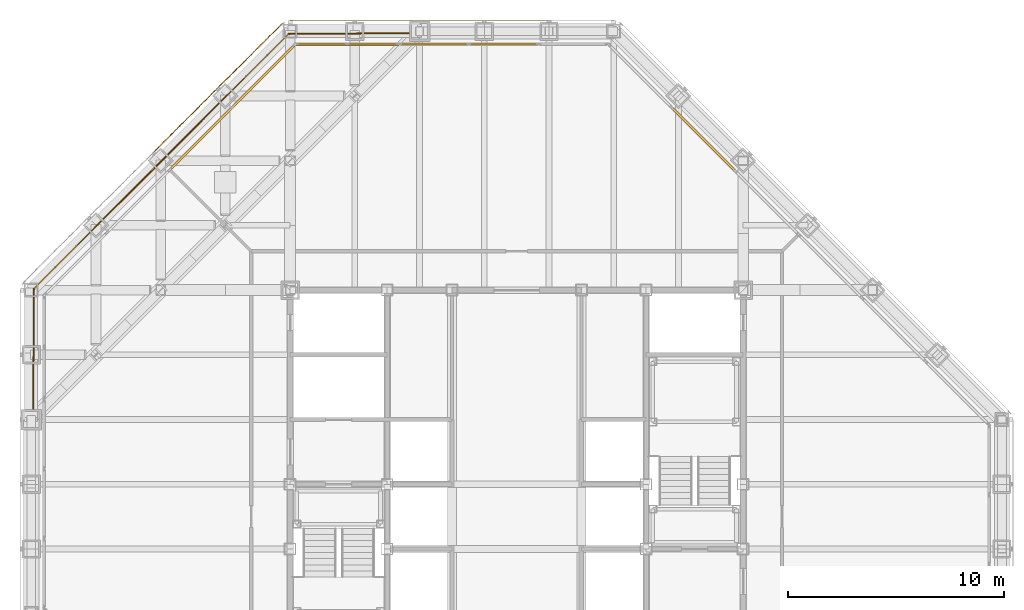
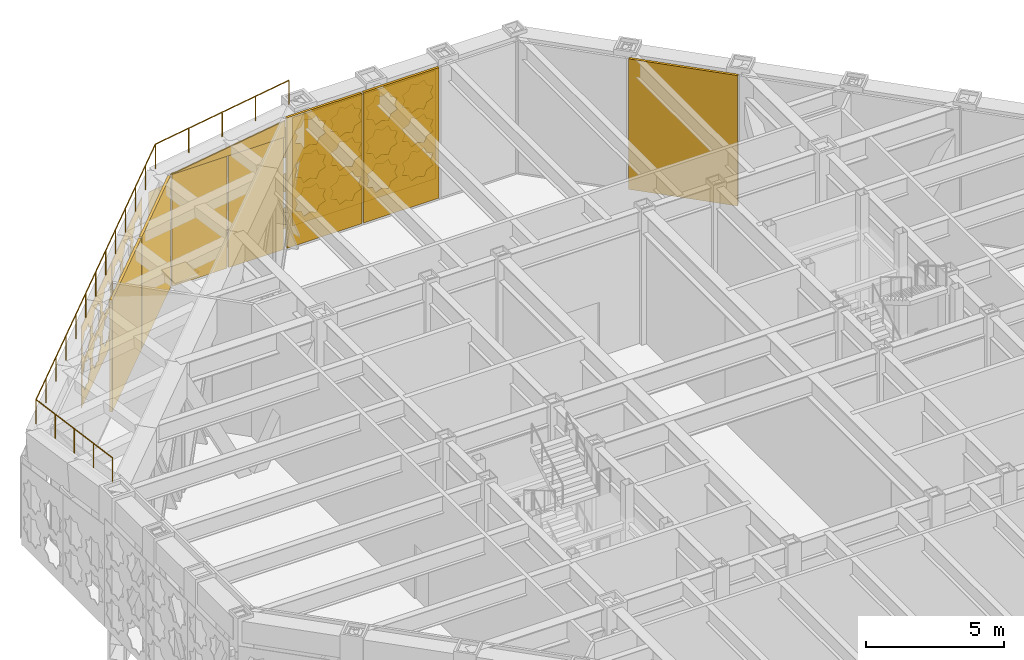
# One storey, part 27 of 29: 7 coverings, 7 shading devices, 1 railing, 4 elements without a shape of their own.
"""IFC4 building model written with IfcOpenShell, lengths in metres."""

from ifc_helpers import new_model, si_unit, direction, frame, origin, origin_2d, place, context, subcontext, project, spatial, polyline, rectangle, circle, outline, extrude, material, layer, layer_set, type_object, element, aggregate, save


model = new_model("IFC4")

# Units and contexts
model_context = context("Model", 3, precision=1e-05, world=origin(), true_north=direction((0.0, 1.0)))
body_context = subcontext(model_context, "Body", "Model", "MODEL_VIEW")
ifc_project = project(units=[si_unit("LENGTHUNIT", "METRE"), si_unit("AREAUNIT", "SQUARE_METRE"), si_unit("VOLUMEUNIT", "CUBIC_METRE"), si_unit("PLANEANGLEUNIT", "RADIAN"), si_unit("MASSUNIT", "GRAM", prefix="KILO")], contexts=[model_context])

# Site, building, storey
site_placement = place(None, origin())
site = spatial("IfcSite", under=ifc_project, at=site_placement, CompositionType="ELEMENT")
building_placement = place(site_placement, origin())
building = spatial("IfcBuilding", under=site, at=building_placement, Name="Chuquiago Exchange Tower", CompositionType="ELEMENT")
storey_placement = place(building_placement, frame((0.0, 0.0, 251.699951171875)))
storey = spatial("IfcBuildingStorey", under=building, at=storey_placement, Name="L56", CompositionType="ELEMENT", Elevation=251.699951171875)

# Curtain wall, shading device
ifc_material_1 = material(Name="Aluminium curtain wall system", Category="aluminium")
ifc_layer_1 = layer(ifc_material_1, 0.199951171875)
ifc_layer_set_1 = layer_set([ifc_layer_1], Name="CW6 plant floor louvre wall")
curtain_wall_type = type_object("IfcCurtainWallType", Name="CW6 plant floor louvre wall", PredefinedType="NOTDEFINED", material=ifc_layer_set_1)
curtain_wall_1_placement = place(storey_placement, origin())
curtain_wall_1 = element("IfcCurtainWall", 1, at=curtain_wall_1_placement, inside=storey, type_object=curtain_wall_type, Name="CW6 curtain wall L56", PredefinedType="NOTDEFINED")
ifc_material_2 = material(Name="Aluminium louvre", Category="aluminium")
ifc_layer_2 = layer(ifc_material_2, 0.10009765625)
ifc_layer_set_2 = layer_set([ifc_layer_2], Name="CW6-P louvre panel 100")
shading_device_type = type_object("IfcShadingDeviceType", Name="CW6-P louvre panel 100", PredefinedType="USERDEFINED", material=ifc_layer_set_2)
shading_device_1_placement = place(storey_placement, frame((31.16357421875, 39.98779296875, 0.0751953125), z_axis=(0.0, 0.0, 1.0), x_axis=(-0.707106781187, 0.707106781187, 0.0)))
shading_device_1 = element("IfcShadingDevice", 2, at=shading_device_1_placement, type_object=shading_device_type, Name="CW6 panel 5.1", ObjectType="LOUVER", PredefinedType="USERDEFINED", context=body_context, shape_type="SweptSolid", body=[
    extrude(rectangle(XDim=4.084716796875, YDim=0.10009765625, at=origin_2d()), origin(), (0.0, 0.0, 1.0), 5.764892578125),
])
aggregate(curtain_wall_1, [shading_device_1])

# Curtain wall, shading devices
curtain_wall_2_placement = place(storey_placement, origin())
curtain_wall_2 = element("IfcCurtainWall", 3, at=curtain_wall_2_placement, inside=storey, type_object=curtain_wall_type, Name="CW6 curtain wall L56", PredefinedType="NOTDEFINED")
shading_device_2_placement = place(storey_placement, frame((21.89892578125, 44.39990234375, 0.0751953125), z_axis=(0.0, 0.0, 1.0), x_axis=(-1.0, 0.0, 0.0)))
shading_device_2 = element("IfcShadingDevice", 4, at=shading_device_2_placement, type_object=shading_device_type, Name="CW6 panel 2.1", ObjectType="LOUVER", PredefinedType="USERDEFINED", context=body_context, shape_type="SweptSolid", body=[
    extrude(rectangle(XDim=3.159912109375, YDim=0.10009765625, at=origin_2d()), origin(), (0.0, 0.0, 1.0), 5.764892578125),
])
shading_device_3_placement = place(storey_placement, frame((18.682861328125, 44.39990234375, 0.0751953125), z_axis=(0.0, 0.0, 1.0), x_axis=(-1.0, 0.0, 0.0)))
shading_device_3 = element("IfcShadingDevice", 5, at=shading_device_3_placement, type_object=shading_device_type, Name="CW6 panel 3.1", ObjectType="LOUVER", PredefinedType="USERDEFINED", context=body_context, shape_type="SweptSolid", body=[
    extrude(rectangle(XDim=3.12255859375, YDim=0.10009765625, at=origin_2d()), origin(), (0.0, 0.0, 1.0), 5.764892578125),
])
aggregate(curtain_wall_2, [shading_device_2, shading_device_3])

curtain_wall_3_placement = place(storey_placement, origin())
curtain_wall_3 = element("IfcCurtainWall", 6, at=curtain_wall_3_placement, inside=storey, type_object=curtain_wall_type, Name="CW6 curtain wall L56", PredefinedType="NOTDEFINED")
shading_device_4_placement = place(storey_placement, frame((15.828369140625, 44.39990234375, 0.074951171875), z_axis=(0.0, 0.0, 1.0), x_axis=(-1.0, 0.0, 0.0)))
shading_device_4 = element("IfcShadingDevice", 7, at=shading_device_4_placement, type_object=shading_device_type, Name="CW6 panel 1.1", ObjectType="LOUVER", PredefinedType="USERDEFINED", context=body_context, shape_type="SweptSolid", body=[
    extrude(rectangle(XDim=2.286376953125, YDim=0.10009765625, at=origin_2d()), origin(), (0.0, 0.0, 1.0), 4.9462890625),
])
shading_device_5_placement = place(storey_placement, frame((13.466796875, 44.39990234375, 0.074951171875), z_axis=(0.0, 0.0, 1.0), x_axis=(-1.0, 0.0, 0.0)))
shading_device_5 = element("IfcShadingDevice", 8, at=shading_device_5_placement, type_object=shading_device_type, Name="CW6 panel 2.1", ObjectType="LOUVER", PredefinedType="USERDEFINED", context=body_context, shape_type="SweptSolid", body=[
    extrude(rectangle(XDim=2.286376953125, YDim=0.10009765625, at=origin_2d()), origin(), (0.0, 0.0, 1.0), 4.9462890625),
])
aggregate(curtain_wall_3, [shading_device_4, shading_device_5])

curtain_wall_4_placement = place(storey_placement, origin())
curtain_wall_4 = element("IfcCurtainWall", 9, at=curtain_wall_4_placement, inside=storey, type_object=curtain_wall_type, Name="CW6 curtain wall L56", PredefinedType="NOTDEFINED")
shading_device_6_placement = place(storey_placement, frame((10.779296875, 42.9306640625, 0.074951171875), z_axis=(0.0, 0.0, 1.0), x_axis=(-0.707106781187, -0.707106781187, 0.0)))
shading_device_6 = element("IfcShadingDevice", 10, at=shading_device_6_placement, type_object=shading_device_type, Name="CW6 panel 1.1", ObjectType="LOUVER", PredefinedType="USERDEFINED", context=body_context, shape_type="SweptSolid", body=[
    extrude(rectangle(XDim=4.005859375, YDim=0.10009765625, at=origin_2d()), origin(), (0.0, 0.0, 1.0), 4.9462890625),
])
shading_device_7_placement = place(storey_placement, frame((7.88037109375, 40.03173828125, 0.074951171875), z_axis=(0.0, 0.0, 1.0), x_axis=(-0.707106781187, -0.707106781187, 0.0)))
shading_device_7 = element("IfcShadingDevice", 11, at=shading_device_7_placement, type_object=shading_device_type, Name="CW6 panel 2.1", ObjectType="LOUVER", PredefinedType="USERDEFINED", context=body_context, shape_type="SweptSolid", body=[
    extrude(rectangle(XDim=4.04345703125, YDim=0.10009765625, at=origin_2d()), origin(), (0.0, 0.0, 1.0), 4.9462890625),
])
aggregate(curtain_wall_4, [shading_device_6, shading_device_7])

# Coverings
ifc_material_3 = material(Name="Pale metal insulated fascia panel", Category="aluminium")
ifc_layer_3 = layer(ifc_material_3, 0.050048828125)
ifc_layer_set_3 = layer_set([ifc_layer_3], Name="FX1 raked fascia panel 50")
covering_type_1 = type_object("IfcCoveringType", Name="FX1 raked fascia panel 50", PredefinedType="CLADDING", material=ifc_layer_set_3)
covering_1_placement = place(storey_placement, frame((17.04638671875, 44.39990234375, 5.021240234375), z_axis=(0.0, 1.0, 0.0), x_axis=(-1.0, 0.0, 0.0)))
element("IfcCovering", 12, at=covering_1_placement, inside=storey, type_object=covering_type_1, Name="Raked fascia L56 N under the NW facet roof", PredefinedType="CLADDING", context=body_context, shape_type="SweptSolid", body=[
    extrude(outline(polyline([(0.0, 0.0), (4.7978515625, 0.0), (0.0, 0.72119140625), (0.0, 0.0)])), origin(), (0.0, 0.0, -1.0), 0.050048828125),
])
ifc_material_4 = material(Name="Anodised aluminium, pale", Category="aluminium")
ifc_layer_4 = layer(ifc_material_4, 0.02001953125)
ifc_layer_set_4 = layer_set([ifc_layer_4], Name="GC1 girih cladding panel 20")
covering_type_2 = type_object("IfcCoveringType", Name="GC1 girih cladding panel 20", PredefinedType="CLADDING", material=ifc_layer_set_4)
covering_2_placement = place(storey_placement, frame((23.9951171875, 45.5, 0.050048828125), z_axis=(0.0, 0.0, 1.0), x_axis=(-1.0, 0.0, 0.0)))
element("IfcCovering", 13, at=covering_2_placement, inside=storey, type_object=covering_type_2, Name="Girih cladding panel L56 N 2", PredefinedType="CLADDING", context=body_context, shape_type="SweptSolid", body=[
    extrude(outline(polyline([(0.0, 0.0), (2.989990234375, 0.0), (2.989990234375, 4.7900390625), (0.0, 4.7900390625), (0.0, 0.0)]), holes=[polyline([(1.27392578125, 0.89990234375), (1.3828125, 1.1630859375), (1.11962890625, 1.272216796875), (1.0107421875, 1.535400390625), (0.74755859375, 1.426513671875), (0.484375, 1.535400390625), (0.375244140625, 1.272216796875), (0.112060546875, 1.1630859375), (0.22119140625, 0.89990234375), (0.112060546875, 0.63671875), (0.375244140625, 0.52783203125), (0.484375, 0.2646484375), (0.74755859375, 0.37353515625), (1.0107421875, 0.2646484375), (1.11962890625, 0.52783203125), (1.3828125, 0.63671875), (1.27392578125, 0.89990234375)]), polyline([(2.768798828125, 0.89990234375), (2.8779296875, 1.1630859375), (2.61474609375, 1.272216796875), (2.505615234375, 1.535400390625), (2.242431640625, 1.426513671875), (1.979248046875, 1.535400390625), (1.870361328125, 1.272216796875), (1.607177734375, 1.1630859375), (1.716064453125, 0.89990234375), (1.607177734375, 0.63671875), (1.870361328125, 0.52783203125), (1.979248046875, 0.2646484375), (2.242431640625, 0.37353515625), (2.505615234375, 0.2646484375), (2.61474609375, 0.52783203125), (2.8779296875, 0.63671875), (2.768798828125, 0.89990234375)]), polyline([(1.27392578125, 2.39501953125), (1.3828125, 2.658203125), (1.11962890625, 2.76708984375), (1.0107421875, 3.030517578125), (0.74755859375, 2.92138671875), (0.484375, 3.030517578125), (0.375244140625, 2.76708984375), (0.112060546875, 2.658203125), (0.22119140625, 2.39501953125), (0.112060546875, 2.1318359375), (0.375244140625, 2.022705078125), (0.484375, 1.759521484375), (0.74755859375, 1.86865234375), (1.0107421875, 1.759521484375), (1.11962890625, 2.022705078125), (1.3828125, 2.1318359375), (1.27392578125, 2.39501953125)]), polyline([(2.768798828125, 2.39501953125), (2.8779296875, 2.658203125), (2.61474609375, 2.76708984375), (2.505615234375, 3.030517578125), (2.242431640625, 2.92138671875), (1.979248046875, 3.030517578125), (1.870361328125, 2.76708984375), (1.607177734375, 2.658203125), (1.716064453125, 2.39501953125), (1.607177734375, 2.1318359375), (1.870361328125, 2.022705078125), (1.979248046875, 1.759521484375), (2.242431640625, 1.86865234375), (2.505615234375, 1.759521484375), (2.61474609375, 2.022705078125), (2.8779296875, 2.1318359375), (2.768798828125, 2.39501953125)]), polyline([(1.27392578125, 3.889892578125), (1.3828125, 4.1533203125), (1.11962890625, 4.26220703125), (1.0107421875, 4.525390625), (0.74755859375, 4.41650390625), (0.484375, 4.525390625), (0.375244140625, 4.26220703125), (0.112060546875, 4.1533203125), (0.22119140625, 3.889892578125), (0.112060546875, 3.626708984375), (0.375244140625, 3.517822265625), (0.484375, 3.254638671875), (0.74755859375, 3.363525390625), (1.0107421875, 3.254638671875), (1.11962890625, 3.517822265625), (1.3828125, 3.626708984375), (1.27392578125, 3.889892578125)]), polyline([(2.768798828125, 3.889892578125), (2.8779296875, 4.1533203125), (2.61474609375, 4.26220703125), (2.505615234375, 4.525390625), (2.242431640625, 4.41650390625), (1.979248046875, 4.525390625), (1.870361328125, 4.26220703125), (1.607177734375, 4.1533203125), (1.716064453125, 3.889892578125), (1.607177734375, 3.626708984375), (1.870361328125, 3.517822265625), (1.979248046875, 3.254638671875), (2.242431640625, 3.363525390625), (2.505615234375, 3.254638671875), (2.61474609375, 3.517822265625), (2.8779296875, 3.626708984375), (2.768798828125, 3.889892578125)])]), frame((0.0, 0.0, 0.0), z_axis=(0.0, -1.0, 0.0), x_axis=(1.0, 0.0, 0.0)), (0.0, 0.0, 1.0), 0.02001953125),
])
covering_3_placement = place(storey_placement, frame((20.9951171875, 45.5, 0.050048828125), z_axis=(0.0, 0.0, 1.0), x_axis=(-1.0, 0.0, 0.0)))
element("IfcCovering", 14, at=covering_3_placement, inside=storey, type_object=covering_type_2, Name="Girih cladding panel L56 N 3", PredefinedType="CLADDING", context=body_context, shape_type="SweptSolid", body=[
    extrude(outline(polyline([(0.0, 0.0), (2.989990234375, 0.0), (2.989990234375, 4.7900390625), (0.0, 4.7900390625), (0.0, 0.0)]), holes=[polyline([(1.27392578125, 0.89990234375), (1.3828125, 1.1630859375), (1.11962890625, 1.272216796875), (1.0107421875, 1.535400390625), (0.74755859375, 1.426513671875), (0.484375, 1.535400390625), (0.375244140625, 1.272216796875), (0.112060546875, 1.1630859375), (0.22119140625, 0.89990234375), (0.112060546875, 0.63671875), (0.375244140625, 0.52783203125), (0.484375, 0.2646484375), (0.74755859375, 0.37353515625), (1.0107421875, 0.2646484375), (1.11962890625, 0.52783203125), (1.3828125, 0.63671875), (1.27392578125, 0.89990234375)]), polyline([(2.768798828125, 0.89990234375), (2.8779296875, 1.1630859375), (2.61474609375, 1.272216796875), (2.505615234375, 1.535400390625), (2.242431640625, 1.426513671875), (1.979248046875, 1.535400390625), (1.870361328125, 1.272216796875), (1.607177734375, 1.1630859375), (1.716064453125, 0.89990234375), (1.607177734375, 0.63671875), (1.870361328125, 0.52783203125), (1.979248046875, 0.2646484375), (2.242431640625, 0.37353515625), (2.505615234375, 0.2646484375), (2.61474609375, 0.52783203125), (2.8779296875, 0.63671875), (2.768798828125, 0.89990234375)]), polyline([(1.27392578125, 2.39501953125), (1.3828125, 2.658203125), (1.11962890625, 2.76708984375), (1.0107421875, 3.030517578125), (0.74755859375, 2.92138671875), (0.484375, 3.030517578125), (0.375244140625, 2.76708984375), (0.112060546875, 2.658203125), (0.22119140625, 2.39501953125), (0.112060546875, 2.1318359375), (0.375244140625, 2.022705078125), (0.484375, 1.759521484375), (0.74755859375, 1.86865234375), (1.0107421875, 1.759521484375), (1.11962890625, 2.022705078125), (1.3828125, 2.1318359375), (1.27392578125, 2.39501953125)]), polyline([(2.768798828125, 2.39501953125), (2.8779296875, 2.658203125), (2.61474609375, 2.76708984375), (2.505615234375, 3.030517578125), (2.242431640625, 2.92138671875), (1.979248046875, 3.030517578125), (1.870361328125, 2.76708984375), (1.607177734375, 2.658203125), (1.716064453125, 2.39501953125), (1.607177734375, 2.1318359375), (1.870361328125, 2.022705078125), (1.979248046875, 1.759521484375), (2.242431640625, 1.86865234375), (2.505615234375, 1.759521484375), (2.61474609375, 2.022705078125), (2.8779296875, 2.1318359375), (2.768798828125, 2.39501953125)]), polyline([(1.27392578125, 3.889892578125), (1.3828125, 4.1533203125), (1.11962890625, 4.26220703125), (1.0107421875, 4.525390625), (0.74755859375, 4.41650390625), (0.484375, 4.525390625), (0.375244140625, 4.26220703125), (0.112060546875, 4.1533203125), (0.22119140625, 3.889892578125), (0.112060546875, 3.626708984375), (0.375244140625, 3.517822265625), (0.484375, 3.254638671875), (0.74755859375, 3.363525390625), (1.0107421875, 3.254638671875), (1.11962890625, 3.517822265625), (1.3828125, 3.626708984375), (1.27392578125, 3.889892578125)]), polyline([(2.768798828125, 3.889892578125), (2.8779296875, 4.1533203125), (2.61474609375, 4.26220703125), (2.505615234375, 4.525390625), (2.242431640625, 4.41650390625), (1.979248046875, 4.525390625), (1.870361328125, 4.26220703125), (1.607177734375, 4.1533203125), (1.716064453125, 3.889892578125), (1.607177734375, 3.626708984375), (1.870361328125, 3.517822265625), (1.979248046875, 3.254638671875), (2.242431640625, 3.363525390625), (2.505615234375, 3.254638671875), (2.61474609375, 3.517822265625), (2.8779296875, 3.626708984375), (2.768798828125, 3.889892578125)])]), frame((0.0, 0.0, 0.0), z_axis=(0.0, -1.0, 0.0), x_axis=(1.0, 0.0, 0.0)), (0.0, 0.0, 1.0), 0.02001953125),
])
covering_4_placement = place(storey_placement, frame((17.9951171875, 45.5, 0.050048828125), z_axis=(0.0, 0.0, 1.0), x_axis=(-1.0, 0.0, 0.0)))
element("IfcCovering", 15, at=covering_4_placement, inside=storey, type_object=covering_type_2, Name="Girih cladding panel L56 N 4", PredefinedType="CLADDING", context=body_context, shape_type="SweptSolid", body=[
    extrude(outline(polyline([(0.0, 0.0), (2.989990234375, 0.0), (2.989990234375, 4.0498046875), (0.0, 4.499267578125), (0.0, 0.0)]), holes=[polyline([(1.27392578125, 1.27734375), (1.3828125, 1.54052734375), (1.11962890625, 1.649658203125), (1.0107421875, 1.912841796875), (0.74755859375, 1.8037109375), (0.484375, 1.912841796875), (0.375244140625, 1.649658203125), (0.112060546875, 1.54052734375), (0.22119140625, 1.27734375), (0.112060546875, 1.014404296875), (0.375244140625, 0.9052734375), (0.484375, 0.64208984375), (0.74755859375, 0.751220703125), (1.0107421875, 0.64208984375), (1.11962890625, 0.9052734375), (1.3828125, 1.014404296875), (1.27392578125, 1.27734375)]), polyline([(2.768798828125, 1.27734375), (2.8779296875, 1.54052734375), (2.61474609375, 1.649658203125), (2.505615234375, 1.912841796875), (2.242431640625, 1.8037109375), (1.979248046875, 1.912841796875), (1.870361328125, 1.649658203125), (1.607177734375, 1.54052734375), (1.716064453125, 1.27734375), (1.607177734375, 1.014404296875), (1.870361328125, 0.9052734375), (1.979248046875, 0.64208984375), (2.242431640625, 0.751220703125), (2.505615234375, 0.64208984375), (2.61474609375, 0.9052734375), (2.8779296875, 1.014404296875), (2.768798828125, 1.27734375)]), polyline([(1.27392578125, 2.7724609375), (1.3828125, 3.03564453125), (1.11962890625, 3.14453125), (1.0107421875, 3.40771484375), (0.74755859375, 3.298828125), (0.484375, 3.40771484375), (0.375244140625, 3.14453125), (0.112060546875, 3.03564453125), (0.22119140625, 2.7724609375), (0.112060546875, 2.50927734375), (0.375244140625, 2.400390625), (0.484375, 2.13720703125), (0.74755859375, 2.24609375), (1.0107421875, 2.13720703125), (1.11962890625, 2.400390625), (1.3828125, 2.50927734375), (1.27392578125, 2.7724609375)]), polyline([(2.768798828125, 2.7724609375), (2.8779296875, 3.03564453125), (2.61474609375, 3.14453125), (2.505615234375, 3.40771484375), (2.242431640625, 3.298828125), (1.979248046875, 3.40771484375), (1.870361328125, 3.14453125), (1.607177734375, 3.03564453125), (1.716064453125, 2.7724609375), (1.607177734375, 2.50927734375), (1.870361328125, 2.400390625), (1.979248046875, 2.13720703125), (2.242431640625, 2.24609375), (2.505615234375, 2.13720703125), (2.61474609375, 2.400390625), (2.8779296875, 2.50927734375), (2.768798828125, 2.7724609375)])]), frame((0.0, 0.0, 0.0), z_axis=(0.0, -1.0, 0.0), x_axis=(1.0, 0.0, 0.0)), (0.0, 0.0, 1.0), 0.02001953125),
])
covering_5_placement = place(storey_placement, frame((14.9951171875, 45.5, 0.050048828125), z_axis=(0.0, 0.0, 1.0), x_axis=(-1.0, 0.0, 0.0)))
element("IfcCovering", 16, at=covering_5_placement, inside=storey, type_object=covering_type_2, Name="Girih cladding panel L56 N 5", PredefinedType="CLADDING", context=body_context, shape_type="SweptSolid", body=[
    extrude(outline(polyline([(0.0, 0.0), (2.989990234375, 0.0), (2.989990234375, 3.59912109375), (0.0, 4.04833984375), (0.0, 0.0)]), holes=[polyline([(1.27392578125, 1.052001953125), (1.3828125, 1.315185546875), (1.11962890625, 1.42431640625), (1.0107421875, 1.6875), (0.74755859375, 1.578369140625), (0.484375, 1.6875), (0.375244140625, 1.42431640625), (0.112060546875, 1.315185546875), (0.22119140625, 1.052001953125), (0.112060546875, 0.788818359375), (0.375244140625, 0.6796875), (0.484375, 0.41650390625), (0.74755859375, 0.525634765625), (1.0107421875, 0.41650390625), (1.11962890625, 0.6796875), (1.3828125, 0.788818359375), (1.27392578125, 1.052001953125)]), polyline([(2.768798828125, 1.052001953125), (2.8779296875, 1.315185546875), (2.61474609375, 1.42431640625), (2.505615234375, 1.6875), (2.242431640625, 1.578369140625), (1.979248046875, 1.6875), (1.870361328125, 1.42431640625), (1.607177734375, 1.315185546875), (1.716064453125, 1.052001953125), (1.607177734375, 0.788818359375), (1.870361328125, 0.6796875), (1.979248046875, 0.41650390625), (2.242431640625, 0.525634765625), (2.505615234375, 0.41650390625), (2.61474609375, 0.6796875), (2.8779296875, 0.788818359375), (2.768798828125, 1.052001953125)]), polyline([(1.27392578125, 2.547119140625), (1.3828125, 2.810302734375), (1.11962890625, 2.919189453125), (1.0107421875, 3.182373046875), (0.74755859375, 3.073486328125), (0.484375, 3.182373046875), (0.375244140625, 2.919189453125), (0.112060546875, 2.810302734375), (0.22119140625, 2.547119140625), (0.112060546875, 2.28369140625), (0.375244140625, 2.1748046875), (0.484375, 1.91162109375), (0.74755859375, 2.0205078125), (1.0107421875, 1.91162109375), (1.11962890625, 2.1748046875), (1.3828125, 2.28369140625), (1.27392578125, 2.547119140625)]), polyline([(2.768798828125, 2.547119140625), (2.8779296875, 2.810302734375), (2.61474609375, 2.919189453125), (2.505615234375, 3.182373046875), (2.242431640625, 3.073486328125), (1.979248046875, 3.182373046875), (1.870361328125, 2.919189453125), (1.607177734375, 2.810302734375), (1.716064453125, 2.547119140625), (1.607177734375, 2.28369140625), (1.870361328125, 2.1748046875), (1.979248046875, 1.91162109375), (2.242431640625, 2.0205078125), (2.505615234375, 1.91162109375), (2.61474609375, 2.1748046875), (2.8779296875, 2.28369140625), (2.768798828125, 2.547119140625)])]), frame((0.0, 0.0, 0.0), z_axis=(0.0, -1.0, 0.0), x_axis=(1.0, 0.0, 0.0)), (0.0, 0.0, 1.0), 0.02001953125),
])
ifc_material_5 = material(Name="Anodised aluminium, pale", Category="aluminium")
ifc_layer_5 = layer(ifc_material_5, 0.02001953125)
ifc_layer_set_5 = layer_set([ifc_layer_5], Name="GC2 girih cladding panel 20")
covering_type_3 = type_object("IfcCoveringType", Name="GC2 girih cladding panel 20", PredefinedType="CLADDING", material=ifc_layer_set_5)
covering_6_placement = place(storey_placement, frame((11.642822265625, 45.35009765625, 0.050048828125), z_axis=(0.0, 0.0, 1.0), x_axis=(-0.707106781187, -0.707106781187, 0.0)))
element("IfcCovering", 17, at=covering_6_placement, inside=storey, type_object=covering_type_3, Name="Girih cladding panel L56 NW 1", PredefinedType="CLADDING", context=body_context, shape_type="SweptSolid", body=[
    extrude(outline(polyline([(0.0, 0.0), (4.232666015625, 0.0), (4.232666015625, 3.59814453125), (0.0, 3.59814453125), (0.0, 0.0)]), holes=[polyline([(1.2021484375, 1.093505859375), (1.304931640625, 1.342041015625), (1.056640625, 1.44482421875), (0.953857421875, 1.693115234375), (0.70556640625, 1.59033203125), (0.45703125, 1.693115234375), (0.354248046875, 1.44482421875), (0.10595703125, 1.342041015625), (0.208740234375, 1.093505859375), (0.10595703125, 0.84521484375), (0.354248046875, 0.742431640625), (0.45703125, 0.494140625), (0.705322265625, 0.596923828125), (0.953857421875, 0.494140625), (1.056640625, 0.742431640625), (1.304931640625, 0.84521484375), (1.2021484375, 1.093505859375)]), polyline([(2.613037109375, 1.093505859375), (2.7158203125, 1.342041015625), (2.467529296875, 1.44482421875), (2.36474609375, 1.693115234375), (2.116455078125, 1.59033203125), (1.867919921875, 1.693115234375), (1.76513671875, 1.44482421875), (1.516845703125, 1.342041015625), (1.61962890625, 1.093505859375), (1.516845703125, 0.84521484375), (1.76513671875, 0.742431640625), (1.867919921875, 0.494140625), (2.116455078125, 0.596923828125), (2.36474609375, 0.494140625), (2.467529296875, 0.742431640625), (2.7158203125, 0.84521484375), (2.613037109375, 1.093505859375)]), polyline([(4.02392578125, 1.093505859375), (4.126708984375, 1.342041015625), (3.87841796875, 1.44482421875), (3.775634765625, 1.693115234375), (3.527099609375, 1.59033203125), (3.27880859375, 1.693115234375), (3.176025390625, 1.44482421875), (2.927734375, 1.342041015625), (3.030517578125, 1.093505859375), (2.927734375, 0.84521484375), (3.176025390625, 0.742431640625), (3.27880859375, 0.494140625), (3.527099609375, 0.596923828125), (3.775634765625, 0.494140625), (3.87841796875, 0.742431640625), (4.126708984375, 0.84521484375), (4.02392578125, 1.093505859375)]), polyline([(1.2021484375, 2.50439453125), (1.304931640625, 2.7529296875), (1.056640625, 2.855712890625), (0.953857421875, 3.10400390625), (0.70556640625, 3.001220703125), (0.45703125, 3.10400390625), (0.354248046875, 2.855712890625), (0.10595703125, 2.7529296875), (0.208740234375, 2.50439453125), (0.10595703125, 2.256103515625), (0.354248046875, 2.1533203125), (0.45703125, 1.905029296875), (0.705322265625, 2.0078125), (0.953857421875, 1.905029296875), (1.056640625, 2.1533203125), (1.304931640625, 2.256103515625), (1.2021484375, 2.50439453125)]), polyline([(2.613037109375, 2.50439453125), (2.7158203125, 2.7529296875), (2.467529296875, 2.855712890625), (2.36474609375, 3.10400390625), (2.116455078125, 3.001220703125), (1.867919921875, 3.10400390625), (1.76513671875, 2.855712890625), (1.516845703125, 2.7529296875), (1.61962890625, 2.50439453125), (1.516845703125, 2.256103515625), (1.76513671875, 2.1533203125), (1.867919921875, 1.905029296875), (2.116455078125, 2.0078125), (2.36474609375, 1.905029296875), (2.467529296875, 2.1533203125), (2.7158203125, 2.256103515625), (2.613037109375, 2.50439453125)]), polyline([(4.02392578125, 2.50439453125), (4.126708984375, 2.7529296875), (3.87841796875, 2.855712890625), (3.775634765625, 3.10400390625), (3.527099609375, 3.001220703125), (3.27880859375, 3.10400390625), (3.176025390625, 2.855712890625), (2.927734375, 2.7529296875), (3.030517578125, 2.50439453125), (2.927734375, 2.256103515625), (3.176025390625, 2.1533203125), (3.27880859375, 1.905029296875), (3.527099609375, 2.0078125), (3.775634765625, 1.905029296875), (3.87841796875, 2.1533203125), (4.126708984375, 2.256103515625), (4.02392578125, 2.50439453125)])]), frame((0.0, 0.0, 0.0), z_axis=(0.0, -1.0, 0.0), x_axis=(1.0, 0.0, 0.0)), (0.0, 0.0, 1.0), 0.02001953125),
])
covering_7_placement = place(storey_placement, frame((8.642822265625, 42.35009765625, 0.050048828125), z_axis=(0.0, 0.0, 1.0), x_axis=(-0.707106781187, -0.707106781187, 0.0)))
element("IfcCovering", 18, at=covering_7_placement, inside=storey, type_object=covering_type_3, Name="Girih cladding panel L56 NW 2", PredefinedType="CLADDING", context=body_context, shape_type="SweptSolid", body=[
    extrude(outline(polyline([(0.0, 0.0), (4.232666015625, 0.0), (4.232666015625, 3.59814453125), (0.0, 3.59814453125), (0.0, 0.0)]), holes=[polyline([(1.2021484375, 1.093505859375), (1.304931640625, 1.342041015625), (1.056640625, 1.44482421875), (0.953857421875, 1.693115234375), (0.70556640625, 1.59033203125), (0.45703125, 1.693115234375), (0.354248046875, 1.44482421875), (0.10595703125, 1.342041015625), (0.208740234375, 1.093505859375), (0.10595703125, 0.84521484375), (0.354248046875, 0.742431640625), (0.45703125, 0.494140625), (0.705322265625, 0.596923828125), (0.953857421875, 0.494140625), (1.056640625, 0.742431640625), (1.304931640625, 0.84521484375), (1.2021484375, 1.093505859375)]), polyline([(2.613037109375, 1.093505859375), (2.7158203125, 1.342041015625), (2.467529296875, 1.44482421875), (2.36474609375, 1.693115234375), (2.116455078125, 1.59033203125), (1.867919921875, 1.693115234375), (1.76513671875, 1.44482421875), (1.516845703125, 1.342041015625), (1.61962890625, 1.093505859375), (1.516845703125, 0.84521484375), (1.76513671875, 0.742431640625), (1.867919921875, 0.494140625), (2.116455078125, 0.596923828125), (2.36474609375, 0.494140625), (2.467529296875, 0.742431640625), (2.7158203125, 0.84521484375), (2.613037109375, 1.093505859375)]), polyline([(4.02392578125, 1.093505859375), (4.126708984375, 1.342041015625), (3.87841796875, 1.44482421875), (3.775634765625, 1.693115234375), (3.527099609375, 1.59033203125), (3.27880859375, 1.693115234375), (3.176025390625, 1.44482421875), (2.927734375, 1.342041015625), (3.030517578125, 1.093505859375), (2.927734375, 0.84521484375), (3.176025390625, 0.742431640625), (3.27880859375, 0.494140625), (3.527099609375, 0.596923828125), (3.775634765625, 0.494140625), (3.87841796875, 0.742431640625), (4.126708984375, 0.84521484375), (4.02392578125, 1.093505859375)]), polyline([(1.2021484375, 2.50439453125), (1.304931640625, 2.7529296875), (1.056640625, 2.855712890625), (0.953857421875, 3.10400390625), (0.70556640625, 3.001220703125), (0.45703125, 3.10400390625), (0.354248046875, 2.855712890625), (0.10595703125, 2.7529296875), (0.208740234375, 2.50439453125), (0.10595703125, 2.256103515625), (0.354248046875, 2.1533203125), (0.45703125, 1.905029296875), (0.705322265625, 2.0078125), (0.953857421875, 1.905029296875), (1.056640625, 2.1533203125), (1.304931640625, 2.256103515625), (1.2021484375, 2.50439453125)]), polyline([(2.613037109375, 2.50439453125), (2.7158203125, 2.7529296875), (2.467529296875, 2.855712890625), (2.36474609375, 3.10400390625), (2.116455078125, 3.001220703125), (1.867919921875, 3.10400390625), (1.76513671875, 2.855712890625), (1.516845703125, 2.7529296875), (1.61962890625, 2.50439453125), (1.516845703125, 2.256103515625), (1.76513671875, 2.1533203125), (1.867919921875, 1.905029296875), (2.116455078125, 2.0078125), (2.36474609375, 1.905029296875), (2.467529296875, 2.1533203125), (2.7158203125, 2.256103515625), (2.613037109375, 2.50439453125)]), polyline([(4.02392578125, 2.50439453125), (4.126708984375, 2.7529296875), (3.87841796875, 2.855712890625), (3.775634765625, 3.10400390625), (3.527099609375, 3.001220703125), (3.27880859375, 3.10400390625), (3.176025390625, 2.855712890625), (2.927734375, 2.7529296875), (3.030517578125, 2.50439453125), (2.927734375, 2.256103515625), (3.176025390625, 2.1533203125), (3.27880859375, 1.905029296875), (3.527099609375, 2.0078125), (3.775634765625, 1.905029296875), (3.87841796875, 2.1533203125), (4.126708984375, 2.256103515625), (4.02392578125, 2.50439453125)])]), frame((0.0, 0.0, 0.0), z_axis=(0.0, -1.0, 0.0), x_axis=(1.0, 0.0, 0.0)), (0.0, 0.0, 1.0), 0.02001953125),
])

# Railing
ifc_material_6 = material(Name="Galvanised steel guard", Category="steel")
railing_type = type_object("IfcRailingType", Name="GR2 roof guard 1100", PredefinedType="GUARDRAIL", material=ifc_material_6)
railing_placement = place(storey_placement, frame((0.089111328125, 27.47412109375, 5.942138671875)))
element("IfcRailing", 19, at=railing_placement, inside=storey, type_object=railing_type, Name="Facet roof L56 NW guard, maintenance access only", PredefinedType="GUARDRAIL", context=body_context, shape_type="SweptSolid", body=[
    extrude(circle(Radius=0.02392578125, at=origin_2d()), frame((0.0, 0.0, 1.076171875), z_axis=(0.006981336084, 0.989022611847, -0.147599235101), x_axis=(-0.999975087436, 0.007058647676, 0.0)), (0.0, 0.0, 1.0), 5.665283203125),
    extrude(circle(Radius=0.02392578125, at=origin_2d()), frame((0.03955078125, 5.60302734375, 0.23974609375), z_axis=(0.707106781187, 0.707106781187, 0.0), x_axis=(-0.707106781187, 0.707106781187, 0.0)), (0.0, 0.0, 1.0), 16.679443359375),
    extrude(circle(Radius=0.02392578125, at=origin_2d()), frame((11.833740234375, 17.397216796875, 0.23974609375), z_axis=(0.989022611847, 0.006981336084, 0.147599235101), x_axis=(-0.007058647676, 0.999975087436, 0.0)), (0.0, 0.0, 1.0), 5.665283203125),
    extrude(circle(Radius=0.02099609375, at=origin_2d()), origin(), (0.0, 0.0, 1.0), 1.052001953125),
    extrude(circle(Radius=0.02099609375, at=origin_2d()), frame((0.009765625, 1.40087890625, -0.208984375)), (0.0, 0.0, 1.0), 1.052001953125),
    extrude(circle(Radius=0.02099609375, at=origin_2d()), frame((0.019775390625, 2.801513671875, -0.41796875)), (0.0, 0.0, 1.0), 1.052001953125),
    extrude(circle(Radius=0.02099609375, at=origin_2d()), frame((0.02978515625, 4.2021484375, -0.627197265625)), (0.0, 0.0, 1.0), 1.052001953125),
    extrude(circle(Radius=0.02099609375, at=origin_2d()), frame((0.03955078125, 5.60302734375, -0.836181640625)), (0.0, 0.0, 1.0), 1.052001953125),
    extrude(circle(Radius=0.02099609375, at=origin_2d()), frame((1.0224609375, 6.5859375, -0.836181640625)), (0.0, 0.0, 1.0), 1.052001953125),
    extrude(circle(Radius=0.02099609375, at=origin_2d()), frame((2.00537109375, 7.56884765625, -0.836181640625)), (0.0, 0.0, 1.0), 1.052001953125),
    extrude(circle(Radius=0.02099609375, at=origin_2d()), frame((2.988037109375, 8.551513671875, -0.836181640625)), (0.0, 0.0, 1.0), 1.052001953125),
    extrude(circle(Radius=0.02099609375, at=origin_2d()), frame((3.970947265625, 9.534423828125, -0.836181640625)), (0.0, 0.0, 1.0), 1.052001953125),
    extrude(circle(Radius=0.02099609375, at=origin_2d()), frame((4.953857421875, 10.517333984375, -0.836181640625)), (0.0, 0.0, 1.0), 1.052001953125),
    extrude(circle(Radius=0.02099609375, at=origin_2d()), frame((5.9365234375, 11.5, -0.836181640625)), (0.0, 0.0, 1.0), 1.052001953125),
    extrude(circle(Radius=0.02099609375, at=origin_2d()), frame((6.91943359375, 12.48291015625, -0.836181640625)), (0.0, 0.0, 1.0), 1.052001953125),
    extrude(circle(Radius=0.02099609375, at=origin_2d()), frame((7.90234375, 13.4658203125, -0.836181640625)), (0.0, 0.0, 1.0), 1.052001953125),
    extrude(circle(Radius=0.02099609375, at=origin_2d()), frame((8.88525390625, 14.44873046875, -0.836181640625)), (0.0, 0.0, 1.0), 1.052001953125),
    extrude(circle(Radius=0.02099609375, at=origin_2d()), frame((9.8681640625, 15.431640625, -0.836181640625)), (0.0, 0.0, 1.0), 1.052001953125),
    extrude(circle(Radius=0.02099609375, at=origin_2d()), frame((10.850830078125, 16.414306640625, -0.836181640625)), (0.0, 0.0, 1.0), 1.052001953125),
    extrude(circle(Radius=0.02099609375, at=origin_2d()), frame((11.833740234375, 17.397216796875, -0.836181640625)), (0.0, 0.0, 1.0), 1.052001953125),
    extrude(circle(Radius=0.02099609375, at=origin_2d()), frame((13.234375, 17.4072265625, -0.627197265625)), (0.0, 0.0, 1.0), 1.052001953125),
    extrude(circle(Radius=0.02099609375, at=origin_2d()), frame((14.63525390625, 17.4169921875, -0.41796875)), (0.0, 0.0, 1.0), 1.052001953125),
    extrude(circle(Radius=0.02099609375, at=origin_2d()), frame((16.0361328125, 17.4267578125, -0.208984375)), (0.0, 0.0, 1.0), 1.052001953125),
    extrude(circle(Radius=0.02099609375, at=origin_2d()), frame((17.436767578125, 17.436767578125, 0.0)), (0.0, 0.0, 1.0), 1.052001953125),
])

save(model, "model.ifc")
